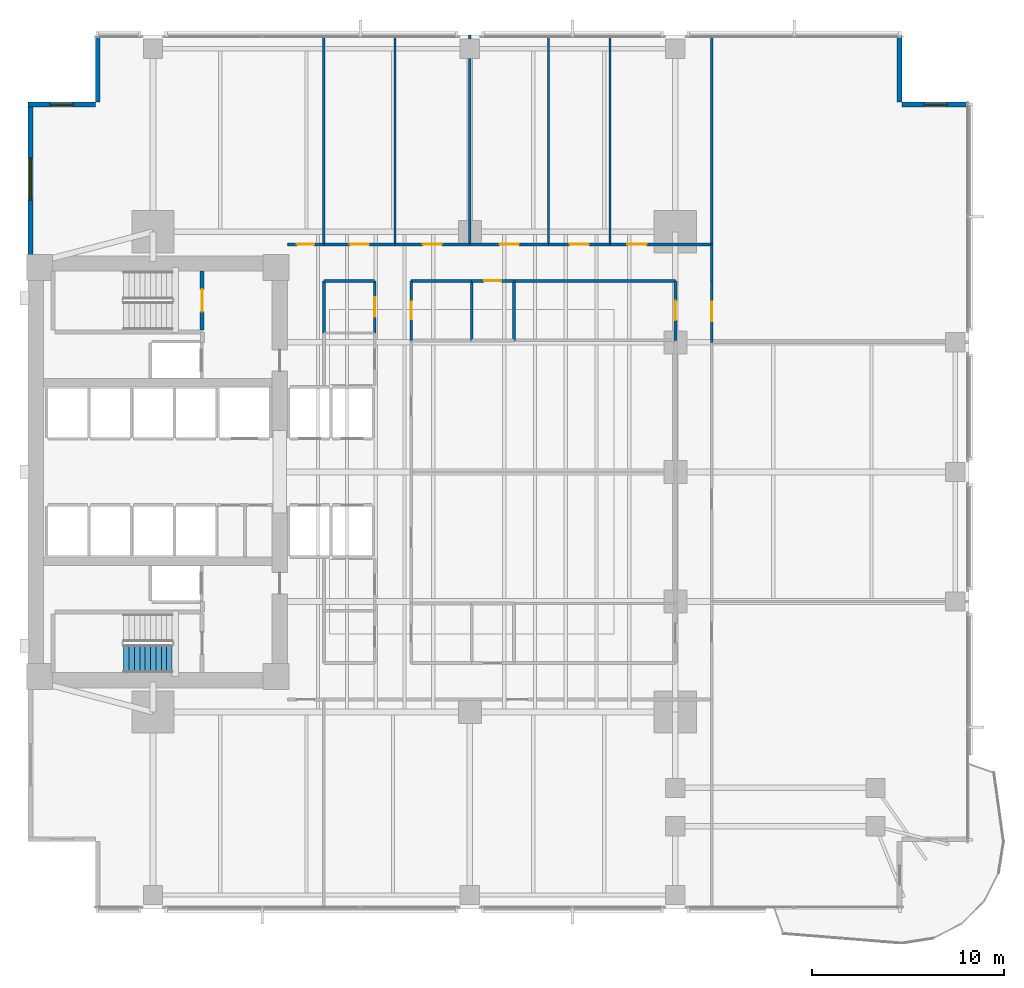
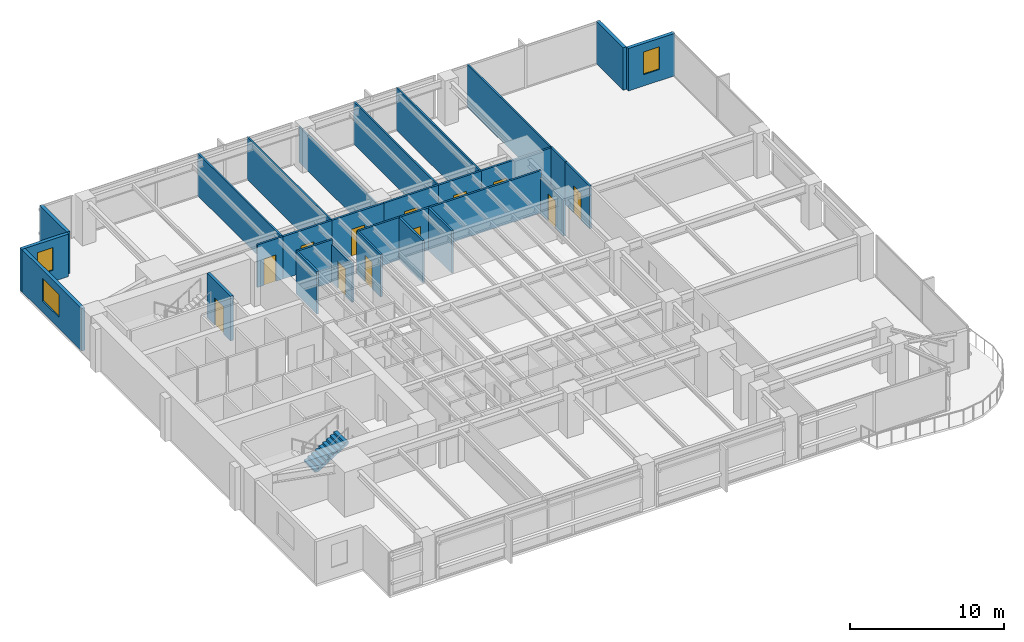
# One storey, part 10 of 15: 30 walls, 12 doors, 3 windows, 1 stair flight, 15 openings, 1 element without a shape of its own.
"""IFC4 building model written with IfcOpenShell, lengths in metres."""

import ifcopenshell
import ifcopenshell.guid

model = None  # the IFC model being written
_history = None  # IfcOwnerHistory: only IFC2X3 demands one
_inside = {}  # id of a spatial element -> (the spatial element, [elements in it])
_under = {}  # id of a project, library or spatial element -> (it, [spatial elements below it])
_declared = {}  # id of a project -> (the project, [libraries it declares])
_typed = {}  # id of a type object -> (the type object, [elements of that type])
_made_of = {}  # id of a material, layer set ... -> (it, [elements and type objects made of it])


def new_model(schema):
    """Start an empty IFC model of exactly this schema.

    Asked for "IFC4X3", IfcOpenShell would pick the latest addendum, in which some entities
    have other attributes; the version numbers below select the first issue.
    IFC2X3 requires an IfcOwnerHistory on every rooted entity: one is made here for all.
    """
    global model, _history
    if schema == "IFC4X3":
        model = ifcopenshell.file(schema_version=(4, 3, 0, 0))
    else:
        model = ifcopenshell.file(schema=schema)
    _inside.clear()
    _under.clear()
    _declared.clear()
    _typed.clear()
    _made_of.clear()
    _history = None
    if model.schema == "IFC2X3":
        org = make("IfcOrganization", Name="unknown")
        user = make(
            "IfcPersonAndOrganization",
            ThePerson=make("IfcPerson", FamilyName="unknown"),
            TheOrganization=org,
        )
        app = make(
            "IfcApplication",
            ApplicationDeveloper=org,
            Version="unknown",
            ApplicationFullName="unknown",
            ApplicationIdentifier="unknown",
        )
        _history = make(
            "IfcOwnerHistory",
            OwningUser=user,
            OwningApplication=app,
            ChangeAction="ADDED",
            CreationDate=0,
        )
    return model


def make(cls, **values):
    """One entity of the class cls with the attributes given. An attribute that is None is left unset."""
    return model.create_entity(
        cls, **{name: value for name, value in values.items() if value is not None}
    )


def rooted(cls, **values):
    """An entity with a GlobalId (a new one), such as an element, a storey or a relation."""
    return make(cls, GlobalId=ifcopenshell.guid.new(), OwnerHistory=_history, **values)


def si_unit(unit_type, name, prefix=None):
    """IfcSIUnit, for example si_unit("LENGTHUNIT", "METRE", prefix="MILLI")."""
    return make("IfcSIUnit", UnitType=unit_type, Prefix=prefix, Name=name)


def assignment(units):
    """IfcUnitAssignment: the units of a project."""
    return None if units is None else make("IfcUnitAssignment", Units=units)


def point(xyz):
    """IfcCartesianPoint."""
    return None if xyz is None else make("IfcCartesianPoint", Coordinates=xyz)


def direction(xyz):
    """IfcDirection."""
    return None if xyz is None else make("IfcDirection", DirectionRatios=xyz)


def frame(location, z_axis=None, x_axis=None):
    """IfcAxis2Placement3D, a coordinate frame: its origin and axes. An axis left out is left unset."""
    return make(
        "IfcAxis2Placement3D",
        Location=point(location),
        Axis=direction(z_axis),
        RefDirection=direction(x_axis),
    )


def frame_2d(location, x_axis=None):
    """IfcAxis2Placement2D, a coordinate frame in the plane: its origin and x axis."""
    return make(
        "IfcAxis2Placement2D", Location=point(location), RefDirection=direction(x_axis)
    )


def origin():
    """The frame at (0, 0, 0) with its axes left unset."""
    return frame((0.0, 0.0, 0.0))


def place(relative_to, where):
    """IfcLocalPlacement: puts the frame where relative to a parent placement (None: the world)."""
    return make(
        "IfcLocalPlacement", PlacementRelTo=relative_to, RelativePlacement=where
    )


def context(
    kind, dimensions, precision=None, world=None, true_north=None, identifier=None
):
    """IfcGeometricRepresentationContext, for example the 3D "Model" context."""
    return make(
        "IfcGeometricRepresentationContext",
        ContextIdentifier=identifier,
        ContextType=kind,
        CoordinateSpaceDimension=dimensions,
        Precision=precision,
        WorldCoordinateSystem=world,
        TrueNorth=true_north,
    )


def subcontext(parent, identifier, kind, view, scale=None):
    """IfcGeometricRepresentationSubContext, for example "Body" below "Model"."""
    return make(
        "IfcGeometricRepresentationSubContext",
        ContextIdentifier=identifier,
        ContextType=kind,
        ParentContext=parent,
        TargetScale=scale,
        TargetView=view,
    )


def project(units=None, contexts=None):
    """IfcProject with its units and contexts."""
    return rooted(
        "IfcProject",
        Name="project",
        RepresentationContexts=contexts,
        UnitsInContext=assignment(units),
    )


def spatial(cls, under=None, at=None, **own):
    """A site, building, storey or space (cls), placed at a placement, below another one or the project."""
    s = rooted(cls, ObjectPlacement=at, **own)
    if under is not None:
        _under.setdefault(under.id(), (under, []))[1].append(s)
    return s


def polyline(points):
    """IfcPolyline through the points."""
    return make("IfcPolyline", Points=[point(p) for p in points])


def profile(cls, at=None, kind="AREA", **sizes):
    """A parametric profile (cls). Its sizes go by their IFC names, for example OverallWidth=200.0."""
    return make(cls, ProfileType=kind, Position=at, **sizes)


def rectangle(**sizes):
    """IfcRectangleProfileDef."""
    return profile("IfcRectangleProfileDef", **sizes)


def outline(outer, holes=None, kind="AREA"):
    """IfcArbitraryClosedProfileDef: a profile drawn as a closed curve; with holes, ...WithVoids."""
    if holes is None:
        return make("IfcArbitraryClosedProfileDef", ProfileType=kind, OuterCurve=outer)
    return make(
        "IfcArbitraryProfileDefWithVoids",
        ProfileType=kind,
        OuterCurve=outer,
        InnerCurves=holes,
    )


def extrude(swept, where, along, depth):
    """IfcExtrudedAreaSolid: the profile swept, set in the frame where, extruded along a direction by depth."""
    return make(
        "IfcExtrudedAreaSolid",
        SweptArea=swept,
        Position=where,
        ExtrudedDirection=direction(along),
        Depth=depth,
    )


def shape(context_of_items, identifier, shape_type, items):
    """IfcShapeRepresentation: the items that make up one representation, for example the "Body"."""
    return make(
        "IfcShapeRepresentation",
        ContextOfItems=context_of_items,
        RepresentationIdentifier=identifier,
        RepresentationType=shape_type,
        Items=items,
    )


def material(Name=None, Category=None):
    """IfcMaterial."""
    return make("IfcMaterial", Name=Name, Category=Category)


def layer(
    of_material, thickness, ventilated=None, Name=None, Category=None, Priority=None
):
    """IfcMaterialLayer: one layer of a wall or slab, of a material (None: an air gap)."""
    return make(
        "IfcMaterialLayer",
        Material=of_material,
        LayerThickness=thickness,
        IsVentilated=ventilated,
        Name=Name,
        Category=Category,
        Priority=Priority,
    )


def layer_set(layers, Name=None):
    """IfcMaterialLayerSet."""
    return make("IfcMaterialLayerSet", MaterialLayers=layers, LayerSetName=Name)


def made_of(thing, what):
    """Note that an element or type object is made of a material, layer set ...; save() writes the relation."""
    if what is not None:
        _made_of.setdefault(what.id(), (what, []))[1].append(thing)
    return thing


def type_object(cls, material=None, **own):
    """A type object (cls), such as IfcWallType, which elements share."""
    return made_of(rooted(cls, **own), material)


def element(
    cls,
    number,
    at=None,
    inside=None,
    cuts=None,
    type_object=None,
    material=None,
    context=None,
    identifier="Body",
    shape_type=None,
    held_by="IfcProductDefinitionShape",
    body=None,
    shapes=None,
    **own,
):
    """One element of the class cls, such as IfcWall. Its Tag is "e" and its number.

    at: its placement. inside: the storey or other place that contains it. cuts: it is an
    opening in that element (IfcRelVoidsElement). A single representation is given by context,
    identifier, shape_type and body (its items); several are given by shapes. held_by: the class
    of the entity that holds the representations. save() writes the other relations.
    """
    e = rooted(cls, Tag="e%d" % number, ObjectPlacement=at, **own)
    if body is not None:
        shapes = [shape(context, identifier, shape_type, body)]
    if shapes is not None:
        e.Representation = make(held_by, Representations=shapes)
    if inside is not None:
        _inside.setdefault(inside.id(), (inside, []))[1].append(e)
    if cuts is not None:
        rooted(
            "IfcRelVoidsElement", RelatingBuildingElement=cuts, RelatedOpeningElement=e
        )
    if type_object is not None:
        _typed.setdefault(type_object.id(), (type_object, []))[1].append(e)
    return made_of(e, material)


def fill(opening, filler):
    """IfcRelFillsElement: the door or window that sits in an opening."""
    return rooted(
        "IfcRelFillsElement",
        RelatingOpeningElement=opening,
        RelatedBuildingElement=filler,
    )


def aggregate(whole, parts):
    """IfcRelAggregates: a whole, such as a stair, and the parts it consists of."""
    return rooted("IfcRelAggregates", RelatingObject=whole, RelatedObjects=parts)


def save(model, path):
    """Write the relations noted so far, then the file.

    IfcRelAggregates (storeys below a building ...), IfcRelContainedInSpatialStructure (elements
    in a storey), IfcRelDefinesByType, IfcRelAssociatesMaterial and IfcRelDeclares: one each for
    every whole, place, type object, material and project.
    """
    for whole, parts in _under.values():
        aggregate(whole, parts)
    for where, things in _inside.values():
        rooted(
            "IfcRelContainedInSpatialStructure",
            RelatedElements=things,
            RelatingStructure=where,
        )
    for kind, things in _typed.values():
        rooted("IfcRelDefinesByType", RelatedObjects=things, RelatingType=kind)
    for what, things in _made_of.values():
        rooted("IfcRelAssociatesMaterial", RelatedObjects=things, RelatingMaterial=what)
    for by, libraries in _declared.values():
        rooted("IfcRelDeclares", RelatingContext=by, RelatedDefinitions=libraries)
    model.write(path)


model = new_model("IFC4")

# Units and contexts
model_context = context("Model", 3, precision=1e-05, world=origin(), true_north=direction((0.0, 1.0)))
body_context = subcontext(model_context, "Body", "Model", "MODEL_VIEW")
ifc_project = project(units=[si_unit("LENGTHUNIT", "METRE"), si_unit("AREAUNIT", "SQUARE_METRE"), si_unit("VOLUMEUNIT", "CUBIC_METRE"), si_unit("PLANEANGLEUNIT", "RADIAN"), si_unit("MASSUNIT", "GRAM", prefix="KILO")], contexts=[model_context])

# Site, building, storey
site_placement = place(None, origin())
site = spatial("IfcSite", under=ifc_project, at=site_placement, CompositionType="ELEMENT")
building_placement = place(site_placement, origin())
building = spatial("IfcBuilding", under=site, at=building_placement, Name="Kinhvarn Gate Tower", CompositionType="ELEMENT")
storey_placement = place(building_placement, frame((0.0, 0.0, 50.449951171875)))
storey = spatial("IfcBuildingStorey", under=building, at=storey_placement, Name="L12", CompositionType="ELEMENT", Elevation=50.449951171875)

# Wall, opening, window
ifc_material_1 = material(Name="Fired architectural terracotta", Category="masonry")
ifc_layer_1 = layer(ifc_material_1, 0.25)
ifc_layer_set_1 = layer_set([ifc_layer_1], Name="Fired architectural terracotta")
wall_type_1 = type_object("IfcWallType", Name="WL-EXT-250", PredefinedType="SOLIDWALL", material=ifc_layer_set_1)
wall_1_placement = place(storey_placement, frame((4.625, 44.5, 0.0), z_axis=(0.0, 0.0, 1.0), x_axis=(0.0, -1.0, 0.0)))
wall_1 = element("IfcWall", 1, at=wall_1_placement, inside=storey, type_object=wall_type_1, Name="Exterior Solidwall Wall EW-250 (L12 West-North)", PredefinedType="SOLIDWALL", context=body_context, shape_type="SweptSolid", body=[
    extrude(rectangle(XDim=8.0, YDim=0.25, at=frame_2d((4.0, 0.0))), origin(), (0.0, 0.0, 1.0), 3.3701171875),
])
opening_1_placement = place(wall_1_placement, frame((2.89990234375, 0.0, 0.89990234375)))
opening_1 = element("IfcOpeningElement", 2, at=opening_1_placement, cuts=wall_1, Name="Opening WN-01", PredefinedType="OPENING", context=body_context, shape_type="SweptSolid", body=[
    extrude(rectangle(XDim=2.199951171875, YDim=1.800048828125, at=frame_2d((1.10009765625, 0.89990234375))), frame((0.0, 0.135009765625, 0.0), z_axis=(0.0, -1.0, 0.0), x_axis=(1.0, 0.0, 0.0)), (0.0, 0.0, 1.0), 0.27001953125),
])
ifc_material_2 = material(Name="Clear low-e double glazing", Category="glass")
window_type_1 = type_object("IfcWindowType", Name="WIN-RIB-2200", PartitioningType="SINGLE_PANEL", PredefinedType="WINDOW", material=ifc_material_2)
window_1_placement = place(opening_1_placement, origin())
window_1 = element("IfcWindow", 3, at=window_1_placement, inside=storey, type_object=window_type_1, Name="West Flank Double-Glazed Ribbon Window 2200x1800 mm (L12)", OverallHeight=1.800048828125, OverallWidth=2.199951171875, PartitioningType="SINGLE_PANEL", PredefinedType="WINDOW", context=body_context, shape_type="SweptSolid", body=[
    extrude(rectangle(XDim=2.199951171875, YDim=1.800048828125, at=frame_2d((1.10009765625, 0.89990234375))), frame((0.0, 0.030029296875, 0.0), z_axis=(0.0, -1.0, 0.0), x_axis=(1.0, 0.0, 0.0)), (0.0, 0.0, 1.0), 0.06005859375),
])
fill(opening_1, window_1)

wall_2_placement = place(storey_placement, frame((53.5, 44.375, 0.0), z_axis=(0.0, 0.0, 1.0), x_axis=(-1.0, 0.0, 0.0)))
wall_2 = element("IfcWall", 4, at=wall_2_placement, inside=storey, type_object=wall_type_1, Name="Exterior Solidwall Wall EW-250 (L12 NE-Notch-1)", PredefinedType="SOLIDWALL", context=body_context, shape_type="SweptSolid", body=[
    extrude(rectangle(XDim=3.5, YDim=0.25, at=frame_2d((1.75, 0.0))), origin(), (0.0, 0.0, 1.0), 3.3701171875),
])
opening_2_placement = place(wall_2_placement, frame((1.14990234375, 0.0, 0.89990234375)))
opening_2 = element("IfcOpeningElement", 5, at=opening_2_placement, cuts=wall_2, Name="Opening WN-02", PredefinedType="OPENING", context=body_context, shape_type="SweptSolid", body=[
    extrude(rectangle(XDim=1.199951171875, YDim=1.800048828125, at=frame_2d((0.60009765625, 0.89990234375))), frame((0.0, 0.135009765625, 0.0), z_axis=(0.0, -1.0, 0.0), x_axis=(1.0, 0.0, 0.0)), (0.0, 0.0, 1.0), 0.27001953125),
])
window_type_2 = type_object("IfcWindowType", Name="WIN-NTC-1200", PartitioningType="SINGLE_PANEL", PredefinedType="WINDOW", material=ifc_material_2)
window_2_placement = place(opening_2_placement, origin())
window_2 = element("IfcWindow", 6, at=window_2_placement, inside=storey, type_object=window_type_2, Name="Recessed Corner Notch Punched Window 1200x1800 mm (L12)", OverallHeight=1.800048828125, OverallWidth=1.199951171875, PartitioningType="SINGLE_PANEL", PredefinedType="WINDOW", context=body_context, shape_type="SweptSolid", body=[
    extrude(rectangle(XDim=1.199951171875, YDim=1.800048828125, at=frame_2d((0.60009765625, 0.89990234375))), frame((0.0, 0.030029296875, 0.0), z_axis=(0.0, -1.0, 0.0), x_axis=(1.0, 0.0, 0.0)), (0.0, 0.0, 1.0), 0.06005859375),
])
fill(opening_2, window_2)

# Walls
for number, where, z_axis, x_axis, name in (
    (7, (49.875, 44.5, 0.0), (0.0, 0.0, 1.0), (0.0, 1.0, 0.0), "Exterior Solidwall Wall EW-250 (L12 NE-Notch-2)"),
    (8, (8.125, 48.0, 0.0), (0.0, 0.0, 1.0), (0.0, -1.0, 0.0), "Exterior Solidwall Wall EW-250 (L12 NW-Notch-1)"),
):
    element("IfcWall", number, at=place(storey_placement, frame(where, z_axis=z_axis, x_axis=x_axis)), inside=storey, type_object=wall_type_1, Name=name, PredefinedType="SOLIDWALL", context=body_context, shape_type="SweptSolid", body=[
        extrude(rectangle(XDim=3.5, YDim=0.25, at=frame_2d((1.75, 0.0))), origin(), (0.0, 0.0, 1.0), 3.3701171875),
    ])

# Wall, opening, window
wall_3_placement = place(storey_placement, frame((8.0, 44.375, 0.0), z_axis=(0.0, 0.0, 1.0), x_axis=(-1.0, 0.0, 0.0)))
wall_3 = element("IfcWall", 9, at=wall_3_placement, inside=storey, type_object=wall_type_1, Name="Exterior Solidwall Wall EW-250 (L12 NW-Notch-2)", PredefinedType="SOLIDWALL", context=body_context, shape_type="SweptSolid", body=[
    extrude(rectangle(XDim=3.5, YDim=0.25, at=frame_2d((1.75, 0.0))), origin(), (0.0, 0.0, 1.0), 3.3701171875),
])
opening_3_placement = place(wall_3_placement, frame((1.14990234375, 0.0, 0.89990234375)))
opening_3 = element("IfcOpeningElement", 10, at=opening_3_placement, cuts=wall_3, Name="Opening WN-02", PredefinedType="OPENING", context=body_context, shape_type="SweptSolid", body=[
    extrude(rectangle(XDim=1.199951171875, YDim=1.800048828125, at=frame_2d((0.60009765625, 0.89990234375))), frame((0.0, 0.135009765625, 0.0), z_axis=(0.0, -1.0, 0.0), x_axis=(1.0, 0.0, 0.0)), (0.0, 0.0, 1.0), 0.27001953125),
])
window_3_placement = place(opening_3_placement, origin())
window_3 = element("IfcWindow", 11, at=window_3_placement, inside=storey, type_object=window_type_2, Name="Recessed Corner Notch Punched Window 1200x1800 mm (L12)", OverallHeight=1.800048828125, OverallWidth=1.199951171875, PartitioningType="SINGLE_PANEL", PredefinedType="WINDOW", context=body_context, shape_type="SweptSolid", body=[
    extrude(rectangle(XDim=1.199951171875, YDim=1.800048828125, at=frame_2d((0.60009765625, 0.89990234375))), frame((0.0, 0.030029296875, 0.0), z_axis=(0.0, -1.0, 0.0), x_axis=(1.0, 0.0, 0.0)), (0.0, 0.0, 1.0), 0.06005859375),
])
fill(opening_3, window_3)

# Walls
ifc_material_3 = material(Name="Gypsum acoustic partition board")
ifc_layer_2 = layer(ifc_material_3, 0.14990234375)
ifc_layer_set_2 = layer_set([ifc_layer_2], Name="Gypsum acoustic partition board")
wall_type_2 = type_object("IfcWallType", Name="WL-PLM-150", PredefinedType="PLUMBINGWALL", material=ifc_layer_set_2)
for number, where, z_axis, x_axis, name in (
    (12, (27.60009765625, 32.10009765625, 0.0), (0.0, 0.0, 1.0), (0.0, 1.0, 0.0), "Interior Partition PLW-150 (L12)"),
    (13, (29.800048828125, 32.10009765625, 0.0), (0.0, 0.0, 1.0), (0.0, 1.0, 0.0), "Interior Partition PLW-150 (L12)"),
):
    element("IfcWall", number, at=place(storey_placement, frame(where, z_axis=z_axis, x_axis=x_axis)), inside=storey, type_object=wall_type_2, Name=name, PredefinedType="PLUMBINGWALL", context=body_context, shape_type="SweptSolid", body=[
        extrude(rectangle(XDim=3.099853515625, YDim=0.14990234375, at=frame_2d((1.5498046875, 0.0))), origin(), (0.0, 0.0, 1.0), 3.3701171875),
    ])

# Wall, opening, door
ifc_layer_3 = layer(ifc_material_3, 0.14990234375)
ifc_layer_set_3 = layer_set([ifc_layer_3], Name="Gypsum acoustic partition board")
wall_type_3 = type_object("IfcWallType", Name="WL-PLM-150F", PredefinedType="PLUMBINGWALL", material=ifc_layer_set_3)
wall_4_placement = place(storey_placement, frame((24.449951171875, 32.10009765625, 0.0), z_axis=(0.0, 0.0, 1.0), x_axis=(0.0, 1.0, 0.0)))
wall_4 = element("IfcWall", 14, at=wall_4_placement, inside=storey, type_object=wall_type_3, Name="Interior Partition PLW-150F (L12)", PredefinedType="PLUMBINGWALL", context=body_context, shape_type="SweptSolid", body=[
    extrude(rectangle(XDim=3.099853515625, YDim=0.14990234375, at=frame_2d((1.5498046875, 0.0))), origin(), (0.0, 0.0, 1.0), 3.3701171875),
])
opening_4_placement = place(wall_4_placement, frame((1.10009765625, 0.0, 0.0)))
opening_4 = element("IfcOpeningElement", 15, at=opening_4_placement, cuts=wall_4, Name="Opening FD-04", PredefinedType="OPENING", context=body_context, shape_type="SweptSolid", body=[
    extrude(rectangle(XDim=0.89990234375, YDim=2.10009765625, at=frame_2d((0.449951171875, 1.050048828125))), frame((0.0, 0.0849609375, 0.0), z_axis=(0.0, -1.0, 0.0), x_axis=(1.0, 0.0, 0.0)), (0.0, 0.0, 1.0), 0.169921875),
])
ifc_material_4 = material(Name="Anodised aluminium AW-6063", Category="aluminium")
door_type_1 = type_object("IfcDoorType", Name="DR-FD-900", OperationType="NOTDEFINED", PredefinedType="DOOR", material=ifc_material_4)
door_1_placement = place(opening_4_placement, origin())
door_1 = element("IfcDoor", 16, at=door_1_placement, inside=storey, type_object=door_type_1, Name="Rated Riser & Service Closet Fire Door 900x2100 mm (L12)", OperationType="SINGLE_SWING_RIGHT", OverallHeight=2.10009765625, OverallWidth=0.89990234375, PredefinedType="DOOR", context=body_context, shape_type="SweptSolid", body=[
    extrude(rectangle(XDim=0.89990234375, YDim=2.10009765625, at=frame_2d((0.449951171875, 1.050048828125))), frame((0.0, 0.02490234375, 0.0), z_axis=(0.0, -1.0, 0.0), x_axis=(1.0, 0.0, 0.0)), (0.0, 0.0, 1.0), 0.050048828125),
])
fill(opening_4, door_1)

# Wall
wall_5_placement = place(storey_placement, frame((24.449951171875, 35.199951171875, 0.0), z_axis=(0.0, 0.0, 1.0), x_axis=(1.0, 0.0, 0.0)))
element("IfcWall", 17, at=wall_5_placement, inside=storey, type_object=wall_type_3, Name="Interior Partition PLW-150F (L12)", PredefinedType="PLUMBINGWALL", context=body_context, shape_type="SweptSolid", body=[
    extrude(rectangle(XDim=3.150146484375, YDim=0.14990234375, at=frame_2d((1.5751953125, 0.0))), origin(), (0.0, 0.0, 1.0), 3.3701171875),
])

# Wall, opening, door
wall_6_placement = place(storey_placement, frame((27.60009765625, 35.199951171875, 0.0), z_axis=(0.0, 0.0, 1.0), x_axis=(1.0, 0.0, 0.0)))
wall_6 = element("IfcWall", 18, at=wall_6_placement, inside=storey, type_object=wall_type_3, Name="Interior Partition PLW-150F (L12)", PredefinedType="PLUMBINGWALL", context=body_context, shape_type="SweptSolid", body=[
    extrude(rectangle(XDim=2.199951171875, YDim=0.14990234375, at=frame_2d((1.10009765625, 0.0))), origin(), (0.0, 0.0, 1.0), 3.3701171875),
])
opening_5_placement = place(wall_6_placement, frame((0.64990234375, 0.0, 0.0)))
opening_5 = element("IfcOpeningElement", 19, at=opening_5_placement, cuts=wall_6, Name="Opening FD-04", PredefinedType="OPENING", context=body_context, shape_type="SweptSolid", body=[
    extrude(rectangle(XDim=0.89990234375, YDim=2.10009765625, at=frame_2d((0.449951171875, 1.050048828125))), frame((0.0, 0.0849609375, 0.0), z_axis=(0.0, -1.0, 0.0), x_axis=(1.0, 0.0, 0.0)), (0.0, 0.0, 1.0), 0.169921875),
])
door_2_placement = place(opening_5_placement, origin())
door_2 = element("IfcDoor", 20, at=door_2_placement, inside=storey, type_object=door_type_1, Name="Rated Riser & Service Closet Fire Door 900x2100 mm (L12)", OperationType="SINGLE_SWING_RIGHT", OverallHeight=2.10009765625, OverallWidth=0.89990234375, PredefinedType="DOOR", context=body_context, shape_type="SweptSolid", body=[
    extrude(rectangle(XDim=0.89990234375, YDim=2.10009765625, at=frame_2d((0.449951171875, 1.050048828125))), frame((0.0, 0.02490234375, 0.0), z_axis=(0.0, -1.0, 0.0), x_axis=(1.0, 0.0, 0.0)), (0.0, 0.0, 1.0), 0.050048828125),
])
fill(opening_5, door_2)

# Walls
ifc_layer_4 = layer(ifc_material_3, 0.1201171875)
ifc_layer_set_4 = layer_set([ifc_layer_4], Name="Gypsum acoustic partition board")
wall_type_4 = type_object("IfcWallType", Name="WL-PRT-120", PredefinedType="PARTITIONING", material=ifc_layer_set_4)
for number, where, z_axis, x_axis, name in (
    (21, (19.89990234375, 37.10009765625, 0.0), (0.0, 0.0, 1.0), (0.0, 1.0, 0.0), "Interior Partition PW-120 (L12)"),
    (22, (23.60009765625, 37.10009765625, 0.0), (0.0, 0.0, 1.0), (0.0, 1.0, 0.0), "Interior Partition PW-120 (L12)"),
):
    element("IfcWall", number, at=place(storey_placement, frame(where, z_axis=z_axis, x_axis=x_axis)), inside=storey, type_object=wall_type_4, Name=name, PredefinedType="PARTITIONING", context=body_context, shape_type="SweptSolid", body=[
        extrude(rectangle(XDim=10.889892578125, YDim=0.1201171875, at=frame_2d((5.44482421875, 0.0))), origin(), (0.0, 0.0, 1.0), 3.3701171875),
    ])
wall_7_placement = place(storey_placement, frame((27.5, 37.10009765625, 0.0), z_axis=(0.0, 0.0, 1.0), x_axis=(0.0, 1.0, 0.0)))
element("IfcWall", 23, at=wall_7_placement, inside=storey, type_object=wall_type_4, Name="Interior Partition PW-120 (L12)", PredefinedType="PARTITIONING", context=body_context, shape_type="SweptSolid", body=[
    extrude(rectangle(XDim=10.889892578125, YDim=0.1201171875, at=frame_2d((5.44482421875, 0.0))), origin(), (0.0, 0.0, 1.0), 2.820068359375),
])
for number, where, z_axis, x_axis, name in (
    (24, (31.60009765625, 37.10009765625, 0.0), (0.0, 0.0, 1.0), (0.0, 1.0, 0.0), "Interior Partition PW-120 (L12)"),
    (25, (34.800048828125, 37.10009765625, 0.0), (0.0, 0.0, 1.0), (0.0, 1.0, 0.0), "Interior Partition PW-120 (L12)"),
    (26, (40.10009765625, 37.10009765625, 0.0), (0.0, 0.0, 1.0), (0.0, 1.0, 0.0), "Interior Partition PW-120 (L12)"),
):
    element("IfcWall", number, at=place(storey_placement, frame(where, z_axis=z_axis, x_axis=x_axis)), inside=storey, type_object=wall_type_4, Name=name, PredefinedType="PARTITIONING", context=body_context, shape_type="SweptSolid", body=[
        extrude(rectangle(XDim=10.889892578125, YDim=0.1201171875, at=frame_2d((5.44482421875, 0.0))), origin(), (0.0, 0.0, 1.0), 3.3701171875),
    ])

# Wall, opening, door
ifc_layer_5 = layer(ifc_material_3, 0.14990234375)
ifc_layer_set_5 = layer_set([ifc_layer_5], Name="Gypsum acoustic partition board")
wall_type_5 = type_object("IfcWallType", Name="WL-PRT-150F", PredefinedType="PARTITIONING", material=ifc_layer_set_5)
wall_8_placement = place(storey_placement, frame((22.550048828125, 32.47998046875, 0.0), z_axis=(0.0, 0.0, 1.0), x_axis=(0.0, 1.0, 0.0)))
wall_8 = element("IfcWall", 27, at=wall_8_placement, inside=storey, type_object=wall_type_5, Name="Interior Partition PW-150F (L12)", PredefinedType="PARTITIONING", context=body_context, shape_type="SweptSolid", body=[
    extrude(rectangle(XDim=2.719970703125, YDim=0.14990234375, at=frame_2d((1.35986328125, 0.0))), origin(), (0.0, 0.0, 1.0), 3.010009765625),
])
opening_6_placement = place(wall_8_placement, frame((0.860107421875, 0.0, 0.0)))
opening_6 = element("IfcOpeningElement", 28, at=opening_6_placement, cuts=wall_8, Name="Opening ID-02", PredefinedType="OPENING", context=body_context, shape_type="SweptSolid", body=[
    extrude(rectangle(XDim=1.0, YDim=2.14990234375, at=frame_2d((0.5, 1.074951171875))), frame((0.0, 0.0849609375, 0.0), z_axis=(0.0, -1.0, 0.0), x_axis=(1.0, 0.0, 0.0)), (0.0, 0.0, 1.0), 0.169921875),
])
door_type_2 = type_object("IfcDoorType", Name="DR-INT-1000", OperationType="NOTDEFINED", PredefinedType="DOOR", material=ifc_material_4)
door_3_placement = place(opening_6_placement, origin())
door_3 = element("IfcDoor", 29, at=door_3_placement, inside=storey, type_object=door_type_2, Name="Standard Office & Meeting Room Door 1000x2150 mm (L12)", OperationType="SINGLE_SWING_RIGHT", OverallHeight=2.14990234375, OverallWidth=1.0, PredefinedType="DOOR", context=body_context, shape_type="SweptSolid", body=[
    extrude(rectangle(XDim=1.0, YDim=2.14990234375, at=frame_2d((0.5, 1.074951171875))), frame((0.0, 0.02490234375, 0.0), z_axis=(0.0, -1.0, 0.0), x_axis=(1.0, 0.0, 0.0)), (0.0, 0.0, 1.0), 0.050048828125),
])
fill(opening_6, door_3)

# Walls
wall_9_placement = place(storey_placement, frame((19.89990234375, 32.47998046875, 0.0), z_axis=(0.0, 0.0, 1.0), x_axis=(0.0, 1.0, 0.0)))
element("IfcWall", 30, at=wall_9_placement, inside=storey, type_object=wall_type_5, Name="Interior Partition PW-150F (L12)", PredefinedType="PARTITIONING", context=body_context, shape_type="SweptSolid", body=[
    extrude(rectangle(XDim=2.719970703125, YDim=0.14990234375, at=frame_2d((1.35986328125, 0.0))), origin(), (0.0, 0.0, 1.0), 3.3701171875),
])
wall_10_placement = place(storey_placement, frame((19.89990234375, 35.199951171875, 0.0), z_axis=(0.0, 0.0, 1.0), x_axis=(1.0, 0.0, 0.0)))
element("IfcWall", 31, at=wall_10_placement, inside=storey, type_object=wall_type_5, Name="Interior Partition PW-150F (L12)", PredefinedType="PARTITIONING", context=body_context, shape_type="SweptSolid", body=[
    extrude(rectangle(XDim=2.650146484375, YDim=0.14990234375, at=frame_2d((1.3251953125, 0.0))), origin(), (0.0, 0.0, 1.0), 3.3701171875),
])
wall_11_placement = place(storey_placement, frame((29.800048828125, 35.199951171875, 0.0), z_axis=(0.0, 0.0, 1.0), x_axis=(1.0, 0.0, 0.0)))
element("IfcWall", 32, at=wall_11_placement, inside=storey, type_object=wall_type_5, Name="Interior Partition PW-150F (L12)", PredefinedType="PARTITIONING", context=body_context, shape_type="SweptSolid", body=[
    extrude(rectangle(XDim=8.39990234375, YDim=0.14990234375, at=frame_2d((4.199951171875, 0.0))), origin(), (0.0, 0.0, 1.0), 3.3701171875),
])

# Wall, opening, door
wall_12_placement = place(storey_placement, frame((18.0, 37.10009765625, 0.0), z_axis=(0.0, 0.0, 1.0), x_axis=(1.0, 0.0, 0.0)))
wall_12 = element("IfcWall", 33, at=wall_12_placement, inside=storey, type_object=wall_type_5, Name="Interior Partition PW-150F (L12)", PredefinedType="PARTITIONING", context=body_context, shape_type="SweptSolid", body=[
    extrude(rectangle(XDim=1.89990234375, YDim=0.14990234375, at=frame_2d((0.949951171875, 0.0))), origin(), (0.0, 0.0, 1.0), 3.3701171875),
])
opening_7_placement = place(wall_12_placement, frame((0.5, 0.0, 0.0)))
opening_7 = element("IfcOpeningElement", 34, at=opening_7_placement, cuts=wall_12, Name="Opening ID-03", PredefinedType="OPENING", context=body_context, shape_type="SweptSolid", body=[
    extrude(rectangle(XDim=0.89990234375, YDim=2.10009765625, at=frame_2d((0.449951171875, 1.050048828125))), frame((0.0, 0.0849609375, 0.0), z_axis=(0.0, -1.0, 0.0), x_axis=(1.0, 0.0, 0.0)), (0.0, 0.0, 1.0), 0.169921875),
])
door_type_3 = type_object("IfcDoorType", Name="DR-INT-900", OperationType="NOTDEFINED", PredefinedType="DOOR", material=ifc_material_4)
door_4_placement = place(opening_7_placement, origin())
door_4 = element("IfcDoor", 35, at=door_4_placement, inside=storey, type_object=door_type_3, Name="Cellular Office & Restroom Door 900x2100 mm (L12)", OperationType="SINGLE_SWING_LEFT", OverallHeight=2.10009765625, OverallWidth=0.89990234375, PredefinedType="DOOR", context=body_context, shape_type="SweptSolid", body=[
    extrude(rectangle(XDim=0.89990234375, YDim=2.10009765625, at=frame_2d((0.449951171875, 1.050048828125))), frame((0.0, 0.02490234375, 0.0), z_axis=(0.0, -1.0, 0.0), x_axis=(1.0, 0.0, 0.0)), (0.0, 0.0, 1.0), 0.050048828125),
])
fill(opening_7, door_4)

wall_13_placement = place(storey_placement, frame((19.89990234375, 37.10009765625, 0.0), z_axis=(0.0, 0.0, 1.0), x_axis=(1.0, 0.0, 0.0)))
wall_13 = element("IfcWall", 36, at=wall_13_placement, inside=storey, type_object=wall_type_5, Name="Interior Partition PW-150F (L12)", PredefinedType="PARTITIONING", context=body_context, shape_type="SweptSolid", body=[
    extrude(rectangle(XDim=3.7001953125, YDim=0.14990234375, at=frame_2d((1.85009765625, 0.0))), origin(), (0.0, 0.0, 1.0), 3.3701171875),
])
opening_8_placement = place(wall_13_placement, frame((1.35009765625, 0.0, 0.0)))
opening_8 = element("IfcOpeningElement", 37, at=opening_8_placement, cuts=wall_13, Name="Opening ID-02", PredefinedType="OPENING", context=body_context, shape_type="SweptSolid", body=[
    extrude(rectangle(XDim=1.0, YDim=2.14990234375, at=frame_2d((0.5, 1.074951171875))), frame((0.0, 0.0849609375, 0.0), z_axis=(0.0, -1.0, 0.0), x_axis=(1.0, 0.0, 0.0)), (0.0, 0.0, 1.0), 0.169921875),
])
door_5_placement = place(opening_8_placement, origin())
door_5 = element("IfcDoor", 38, at=door_5_placement, inside=storey, type_object=door_type_2, Name="Standard Office & Meeting Room Door 1000x2150 mm (L12)", OperationType="SINGLE_SWING_RIGHT", OverallHeight=2.14990234375, OverallWidth=1.0, PredefinedType="DOOR", context=body_context, shape_type="SweptSolid", body=[
    extrude(rectangle(XDim=1.0, YDim=2.14990234375, at=frame_2d((0.5, 1.074951171875))), frame((0.0, 0.02490234375, 0.0), z_axis=(0.0, -1.0, 0.0), x_axis=(1.0, 0.0, 0.0)), (0.0, 0.0, 1.0), 0.050048828125),
])
fill(opening_8, door_5)

wall_14_placement = place(storey_placement, frame((23.60009765625, 37.10009765625, 0.0), z_axis=(0.0, 0.0, 1.0), x_axis=(1.0, 0.0, 0.0)))
wall_14 = element("IfcWall", 39, at=wall_14_placement, inside=storey, type_object=wall_type_5, Name="Interior Partition PW-150F (L12)", PredefinedType="PARTITIONING", context=body_context, shape_type="SweptSolid", body=[
    extrude(rectangle(XDim=3.89990234375, YDim=0.14990234375, at=frame_2d((1.949951171875, 0.0))), origin(), (0.0, 0.0, 1.0), 3.3701171875),
])
opening_9_placement = place(wall_14_placement, frame((1.449951171875, 0.0, 0.0)))
opening_9 = element("IfcOpeningElement", 40, at=opening_9_placement, cuts=wall_14, Name="Opening ID-02", PredefinedType="OPENING", context=body_context, shape_type="SweptSolid", body=[
    extrude(rectangle(XDim=1.0, YDim=2.14990234375, at=frame_2d((0.5, 1.074951171875))), frame((0.0, 0.0849609375, 0.0), z_axis=(0.0, -1.0, 0.0), x_axis=(1.0, 0.0, 0.0)), (0.0, 0.0, 1.0), 0.169921875),
])
door_6_placement = place(opening_9_placement, origin())
door_6 = element("IfcDoor", 41, at=door_6_placement, inside=storey, type_object=door_type_2, Name="Standard Office & Meeting Room Door 1000x2150 mm (L12)", OperationType="SINGLE_SWING_LEFT", OverallHeight=2.14990234375, OverallWidth=1.0, PredefinedType="DOOR", context=body_context, shape_type="SweptSolid", body=[
    extrude(rectangle(XDim=1.0, YDim=2.14990234375, at=frame_2d((0.5, 1.074951171875))), frame((0.0, 0.02490234375, 0.0), z_axis=(0.0, -1.0, 0.0), x_axis=(1.0, 0.0, 0.0)), (0.0, 0.0, 1.0), 0.050048828125),
])
fill(opening_9, door_6)

wall_15_placement = place(storey_placement, frame((27.5, 37.10009765625, 0.0), z_axis=(0.0, 0.0, 1.0), x_axis=(1.0, 0.0, 0.0)))
wall_15 = element("IfcWall", 42, at=wall_15_placement, inside=storey, type_object=wall_type_5, Name="Interior Partition PW-150F (L12)", PredefinedType="PARTITIONING", context=body_context, shape_type="SweptSolid", body=[
    extrude(rectangle(XDim=4.10009765625, YDim=0.14990234375, at=frame_2d((2.050048828125, 0.0))), origin(), (0.0, 0.0, 1.0), 3.3701171875),
])
opening_10_placement = place(wall_15_placement, frame((1.550048828125, 0.0, 0.0)))
opening_10 = element("IfcOpeningElement", 43, at=opening_10_placement, cuts=wall_15, Name="Opening ID-02", PredefinedType="OPENING", context=body_context, shape_type="SweptSolid", body=[
    extrude(rectangle(XDim=1.0, YDim=2.14990234375, at=frame_2d((0.5, 1.074951171875))), frame((0.0, 0.0849609375, 0.0), z_axis=(0.0, -1.0, 0.0), x_axis=(1.0, 0.0, 0.0)), (0.0, 0.0, 1.0), 0.169921875),
])
door_7_placement = place(opening_10_placement, origin())
door_7 = element("IfcDoor", 44, at=door_7_placement, inside=storey, type_object=door_type_2, Name="Standard Office & Meeting Room Door 1000x2150 mm (L12)", OperationType="SINGLE_SWING_RIGHT", OverallHeight=2.14990234375, OverallWidth=1.0, PredefinedType="DOOR", context=body_context, shape_type="SweptSolid", body=[
    extrude(rectangle(XDim=1.0, YDim=2.14990234375, at=frame_2d((0.5, 1.074951171875))), frame((0.0, 0.02490234375, 0.0), z_axis=(0.0, -1.0, 0.0), x_axis=(1.0, 0.0, 0.0)), (0.0, 0.0, 1.0), 0.050048828125),
])
fill(opening_10, door_7)

wall_16_placement = place(storey_placement, frame((31.60009765625, 37.10009765625, 0.0), z_axis=(0.0, 0.0, 1.0), x_axis=(1.0, 0.0, 0.0)))
wall_16 = element("IfcWall", 45, at=wall_16_placement, inside=storey, type_object=wall_type_5, Name="Interior Partition PW-150F (L12)", PredefinedType="PARTITIONING", context=body_context, shape_type="SweptSolid", body=[
    extrude(rectangle(XDim=3.199951171875, YDim=0.14990234375, at=frame_2d((1.60009765625, 0.0))), origin(), (0.0, 0.0, 1.0), 3.3701171875),
])
opening_11_placement = place(wall_16_placement, frame((1.10009765625, 0.0, 0.0)))
opening_11 = element("IfcOpeningElement", 46, at=opening_11_placement, cuts=wall_16, Name="Opening ID-02", PredefinedType="OPENING", context=body_context, shape_type="SweptSolid", body=[
    extrude(rectangle(XDim=1.0, YDim=2.14990234375, at=frame_2d((0.5, 1.074951171875))), frame((0.0, 0.0849609375, 0.0), z_axis=(0.0, -1.0, 0.0), x_axis=(1.0, 0.0, 0.0)), (0.0, 0.0, 1.0), 0.169921875),
])
door_8_placement = place(opening_11_placement, origin())
door_8 = element("IfcDoor", 47, at=door_8_placement, inside=storey, type_object=door_type_2, Name="Standard Office & Meeting Room Door 1000x2150 mm (L12)", OperationType="SINGLE_SWING_LEFT", OverallHeight=2.14990234375, OverallWidth=1.0, PredefinedType="DOOR", context=body_context, shape_type="SweptSolid", body=[
    extrude(rectangle(XDim=1.0, YDim=2.14990234375, at=frame_2d((0.5, 1.074951171875))), frame((0.0, 0.02490234375, 0.0), z_axis=(0.0, -1.0, 0.0), x_axis=(1.0, 0.0, 0.0)), (0.0, 0.0, 1.0), 0.050048828125),
])
fill(opening_11, door_8)

wall_17_placement = place(storey_placement, frame((34.800048828125, 37.10009765625, 0.0), z_axis=(0.0, 0.0, 1.0), x_axis=(1.0, 0.0, 0.0)))
wall_17 = element("IfcWall", 48, at=wall_17_placement, inside=storey, type_object=wall_type_5, Name="Interior Partition PW-150F (L12)", PredefinedType="PARTITIONING", context=body_context, shape_type="SweptSolid", body=[
    extrude(rectangle(XDim=5.300048828125, YDim=0.14990234375, at=frame_2d((2.64990234375, 0.0))), origin(), (0.0, 0.0, 1.0), 3.3701171875),
])
opening_12_placement = place(wall_17_placement, frame((0.909912109375, 0.0, 0.0)))
opening_12 = element("IfcOpeningElement", 49, at=opening_12_placement, cuts=wall_17, Name="Opening ID-02", PredefinedType="OPENING", context=body_context, shape_type="SweptSolid", body=[
    extrude(rectangle(XDim=1.0, YDim=2.14990234375, at=frame_2d((0.5, 1.074951171875))), frame((0.0, 0.0849609375, 0.0), z_axis=(0.0, -1.0, 0.0), x_axis=(1.0, 0.0, 0.0)), (0.0, 0.0, 1.0), 0.169921875),
])
door_9_placement = place(opening_12_placement, origin())
door_9 = element("IfcDoor", 50, at=door_9_placement, inside=storey, type_object=door_type_2, Name="Standard Office & Meeting Room Door 1000x2150 mm (L12)", OperationType="SINGLE_SWING_RIGHT", OverallHeight=2.14990234375, OverallWidth=1.0, PredefinedType="DOOR", context=body_context, shape_type="SweptSolid", body=[
    extrude(rectangle(XDim=1.0, YDim=2.14990234375, at=frame_2d((0.5, 1.074951171875))), frame((0.0, 0.02490234375, 0.0), z_axis=(0.0, -1.0, 0.0), x_axis=(1.0, 0.0, 0.0)), (0.0, 0.0, 1.0), 0.050048828125),
])
fill(opening_12, door_9)

# Wall
wall_18_placement = place(storey_placement, frame((40.10009765625, 35.199951171875, 0.0), z_axis=(0.0, 0.0, 1.0), x_axis=(0.0, 1.0, 0.0)))
element("IfcWall", 51, at=wall_18_placement, inside=storey, type_object=wall_type_5, Name="Interior Partition PW-150F (L12)", PredefinedType="PARTITIONING", context=body_context, shape_type="SweptSolid", body=[
    extrude(rectangle(XDim=1.900146484375, YDim=0.14990234375, at=frame_2d((0.9501953125, 0.0))), origin(), (0.0, 0.0, 1.0), 3.3701171875),
])

# Wall, opening, door
wall_19_placement = place(storey_placement, frame((38.199951171875, 32.10009765625, 0.0), z_axis=(0.0, 0.0, 1.0), x_axis=(0.0, 1.0, 0.0)))
wall_19 = element("IfcWall", 52, at=wall_19_placement, inside=storey, type_object=wall_type_5, Name="Interior Partition PW-150F (L12)", PredefinedType="PARTITIONING", context=body_context, shape_type="SweptSolid", body=[
    extrude(rectangle(XDim=3.099853515625, YDim=0.14990234375, at=frame_2d((1.5498046875, 0.0))), origin(), (0.0, 0.0, 1.0), 2.820068359375),
])
opening_13_placement = place(wall_19_placement, frame((1.050048828125, 0.0, 0.0)))
opening_13 = element("IfcOpeningElement", 53, at=opening_13_placement, cuts=wall_19, Name="Opening ID-02", PredefinedType="OPENING", context=body_context, shape_type="SweptSolid", body=[
    extrude(rectangle(XDim=1.0, YDim=2.14990234375, at=frame_2d((0.5, 1.074951171875))), frame((0.0, 0.0849609375, 0.0), z_axis=(0.0, -1.0, 0.0), x_axis=(1.0, 0.0, 0.0)), (0.0, 0.0, 1.0), 0.169921875),
])
door_10_placement = place(opening_13_placement, origin())
door_10 = element("IfcDoor", 54, at=door_10_placement, inside=storey, type_object=door_type_2, Name="Standard Office & Meeting Room Door 1000x2150 mm (L12)", OperationType="SINGLE_SWING_RIGHT", OverallHeight=2.14990234375, OverallWidth=1.0, PredefinedType="DOOR", context=body_context, shape_type="SweptSolid", body=[
    extrude(rectangle(XDim=1.0, YDim=2.14990234375, at=frame_2d((0.5, 1.074951171875))), frame((0.0, 0.02490234375, 0.0), z_axis=(0.0, -1.0, 0.0), x_axis=(1.0, 0.0, 0.0)), (0.0, 0.0, 1.0), 0.050048828125),
])
fill(opening_13, door_10)

wall_20_placement = place(storey_placement, frame((40.10009765625, 32.0, 0.0), z_axis=(0.0, 0.0, 1.0), x_axis=(0.0, 1.0, 0.0)))
wall_20 = element("IfcWall", 55, at=wall_20_placement, inside=storey, type_object=wall_type_5, Name="Interior Partition PW-150F (L12)", PredefinedType="PARTITIONING", context=body_context, shape_type="SweptSolid", body=[
    extrude(rectangle(XDim=3.199951171875, YDim=0.14990234375, at=frame_2d((1.60009765625, 0.0))), origin(), (0.0, 0.0, 1.0), 3.3701171875),
])
opening_14_placement = place(wall_20_placement, frame((1.10009765625, 0.0, 0.0)))
opening_14 = element("IfcOpeningElement", 56, at=opening_14_placement, cuts=wall_20, Name="Opening ID-02", PredefinedType="OPENING", context=body_context, shape_type="SweptSolid", body=[
    extrude(rectangle(XDim=1.0, YDim=2.14990234375, at=frame_2d((0.5, 1.074951171875))), frame((0.0, 0.0849609375, 0.0), z_axis=(0.0, -1.0, 0.0), x_axis=(1.0, 0.0, 0.0)), (0.0, 0.0, 1.0), 0.169921875),
])
door_11_placement = place(opening_14_placement, origin())
door_11 = element("IfcDoor", 57, at=door_11_placement, inside=storey, type_object=door_type_2, Name="Standard Office & Meeting Room Door 1000x2150 mm (L12)", OperationType="SINGLE_SWING_LEFT", OverallHeight=2.14990234375, OverallWidth=1.0, PredefinedType="DOOR", context=body_context, shape_type="SweptSolid", body=[
    extrude(rectangle(XDim=1.0, YDim=2.14990234375, at=frame_2d((0.5, 1.074951171875))), frame((0.0, 0.02490234375, 0.0), z_axis=(0.0, -1.0, 0.0), x_axis=(1.0, 0.0, 0.0)), (0.0, 0.0, 1.0), 0.050048828125),
])
fill(opening_14, door_11)

ifc_material_5 = material(Name="Concrete C40/50", Category="concrete")
ifc_layer_6 = layer(ifc_material_5, 0.199951171875)
ifc_layer_set_6 = layer_set([ifc_layer_6], Name="Concrete C40/50")
wall_type_6 = type_object("IfcWallType", Name="WL-SHF-200", PredefinedType="SOLIDWALL", material=ifc_layer_set_6)
wall_21_placement = place(storey_placement, frame((13.56005859375, 32.64990234375, 0.0), z_axis=(0.0, 0.0, 1.0), x_axis=(0.0, 1.0, 0.0)))
wall_21 = element("IfcWall", 58, at=wall_21_placement, inside=storey, type_object=wall_type_6, Name="Stair ST2 East Entry Wall (L12)", PredefinedType="SOLIDWALL", context=body_context, shape_type="SweptSolid", body=[
    extrude(rectangle(XDim=3.050048828125, YDim=0.199951171875, at=frame_2d((1.52490234375, 0.0))), origin(), (0.0, 0.0, 1.0), 3.550048828125),
])
opening_15_placement = place(wall_21_placement, frame((0.949951171875, 0.0, 0.0)))
opening_15 = element("IfcOpeningElement", 59, at=opening_15_placement, cuts=wall_21, Name="Opening FD-01", PredefinedType="OPENING", context=body_context, shape_type="SweptSolid", body=[
    extrude(rectangle(XDim=1.14990234375, YDim=2.14990234375, at=frame_2d((0.574951171875, 1.074951171875))), frame((0.0, 0.10986328125, 0.0), z_axis=(0.0, -1.0, 0.0), x_axis=(1.0, 0.0, 0.0)), (0.0, 0.0, 1.0), 0.219970703125),
])
door_type_4 = type_object("IfcDoorType", Name="DR-ST-1150", OperationType="NOTDEFINED", PredefinedType="DOOR", material=ifc_material_4)
door_12_placement = place(opening_15_placement, origin())
door_12 = element("IfcDoor", 60, at=door_12_placement, inside=storey, type_object=door_type_4, Name="Exit Stair ST2 Fire Door (L12)", OperationType="SINGLE_SWING_LEFT", OverallHeight=2.14990234375, OverallWidth=1.14990234375, PredefinedType="DOOR", context=body_context, shape_type="SweptSolid", body=[
    extrude(rectangle(XDim=1.14990234375, YDim=2.14990234375, at=frame_2d((0.574951171875, 1.074951171875))), frame((0.0, 0.02490234375, 0.0), z_axis=(0.0, -1.0, 0.0), x_axis=(1.0, 0.0, 0.0)), (0.0, 0.0, 1.0), 0.050048828125),
])
fill(opening_15, door_12)

# Stair, stair flight
stair_type = type_object("IfcStairType", Name="STR-DLG-177", PredefinedType="HALF_TURN_STAIR", material=ifc_material_5)
stair_placement = place(storey_placement, origin())
stair = element("IfcStair", 61, at=stair_placement, inside=storey, type_object=stair_type, Name="L12 Core Smokeproof Exit Stair ST1", PredefinedType="HALF_TURN_STAIR")
stair_flight_type = type_object("IfcStairFlightType", Name="STF-DLG-177", PredefinedType="STRAIGHT", material=ifc_material_5)
stair_flight_placement = place(storey_placement, frame((9.47998046875, 15.52490234375, 1.775146484375), z_axis=(0.0, 0.0, 1.0), x_axis=(1.0, 0.0, 0.0)))
stair_flight = element("IfcStairFlight", 62, at=stair_flight_placement, type_object=stair_flight_type, Name="ST1 flight 2", NumberOfRisers=10, NumberOfTreads=9, PredefinedType="STRAIGHT", RiserHeight=0.1775, TreadLength=0.28, context=body_context, shape_type="SweptSolid", body=[
    extrude(outline(polyline([(0.0, 0.0), (0.0, 0.177490234375), (0.280029296875, 0.177490234375), (0.280029296875, 0.35498046875), (0.56005859375, 0.35498046875), (0.56005859375, 0.532470703125), (0.840087890625, 0.532470703125), (0.840087890625, 0.7099609375), (1.1201171875, 0.7099609375), (1.1201171875, 0.887451171875), (1.39990234375, 0.887451171875), (1.39990234375, 1.06494140625), (1.679931640625, 1.06494140625), (1.679931640625, 1.242431640625), (1.9599609375, 1.242431640625), (1.9599609375, 1.419921875), (2.239990234375, 1.419921875), (2.239990234375, 1.597412109375), (2.52001953125, 1.597412109375), (2.52001953125, 1.77490234375), (2.52001953125, 1.419921875), (0.280029296875, 0.0), (0.0, 0.0)])), frame((0.0, 0.72509765625, 0.0), z_axis=(0.0, -1.0, 0.0), x_axis=(1.0, 0.0, 0.0)), (0.0, 0.0, 1.0), 1.449951171875),
])
aggregate(stair, [stair_flight])

save(model, "model.ifc")
